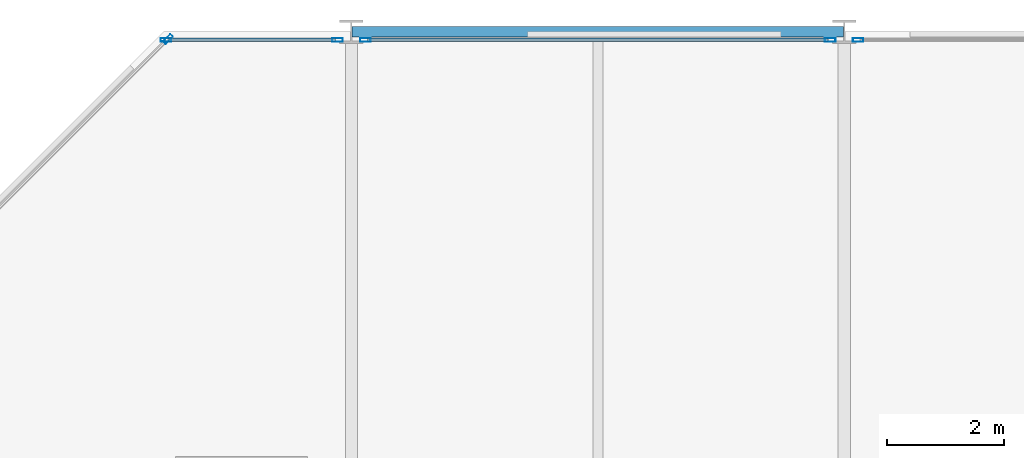
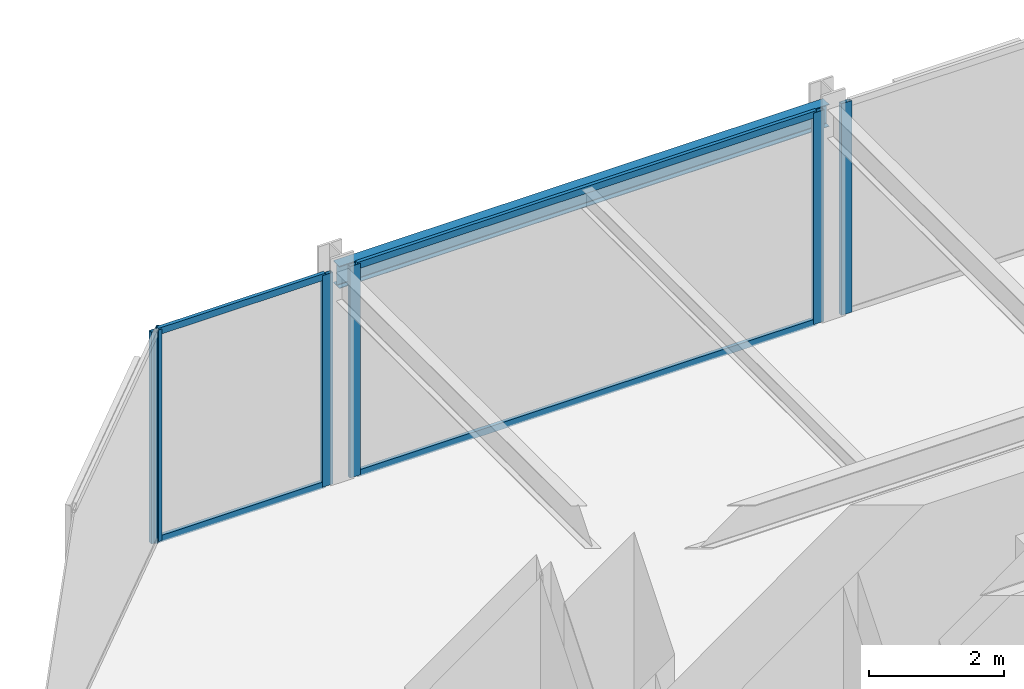
# One storey, part 29 of 38: 10 members, 1 beam, 4 elements without a shape of their own.
"""IFC4 building model written with IfcOpenShell, lengths in metres."""

import ifcopenshell
import ifcopenshell.guid

model = None  # the IFC model being written
_history = None  # IfcOwnerHistory: only IFC2X3 demands one
_inside = {}  # id of a spatial element -> (the spatial element, [elements in it])
_under = {}  # id of a project, library or spatial element -> (it, [spatial elements below it])
_declared = {}  # id of a project -> (the project, [libraries it declares])
_typed = {}  # id of a type object -> (the type object, [elements of that type])
_made_of = {}  # id of a material, layer set ... -> (it, [elements and type objects made of it])


def new_model(schema):
    """Start an empty IFC model of exactly this schema.

    Asked for "IFC4X3", IfcOpenShell would pick the latest addendum, in which some entities
    have other attributes; the version numbers below select the first issue.
    IFC2X3 requires an IfcOwnerHistory on every rooted entity: one is made here for all.
    """
    global model, _history
    if schema == "IFC4X3":
        model = ifcopenshell.file(schema_version=(4, 3, 0, 0))
    else:
        model = ifcopenshell.file(schema=schema)
    _inside.clear()
    _under.clear()
    _declared.clear()
    _typed.clear()
    _made_of.clear()
    _history = None
    if model.schema == "IFC2X3":
        org = make("IfcOrganization", Name="unknown")
        user = make(
            "IfcPersonAndOrganization",
            ThePerson=make("IfcPerson", FamilyName="unknown"),
            TheOrganization=org,
        )
        app = make(
            "IfcApplication",
            ApplicationDeveloper=org,
            Version="unknown",
            ApplicationFullName="unknown",
            ApplicationIdentifier="unknown",
        )
        _history = make(
            "IfcOwnerHistory",
            OwningUser=user,
            OwningApplication=app,
            ChangeAction="ADDED",
            CreationDate=0,
        )
    return model


def make(cls, **values):
    """One entity of the class cls with the attributes given. An attribute that is None is left unset."""
    return model.create_entity(
        cls, **{name: value for name, value in values.items() if value is not None}
    )


def rooted(cls, **values):
    """An entity with a GlobalId (a new one), such as an element, a storey or a relation."""
    return make(cls, GlobalId=ifcopenshell.guid.new(), OwnerHistory=_history, **values)


def si_unit(unit_type, name, prefix=None):
    """IfcSIUnit, for example si_unit("LENGTHUNIT", "METRE", prefix="MILLI")."""
    return make("IfcSIUnit", UnitType=unit_type, Prefix=prefix, Name=name)


def assignment(units):
    """IfcUnitAssignment: the units of a project."""
    return None if units is None else make("IfcUnitAssignment", Units=units)


def point(xyz):
    """IfcCartesianPoint."""
    return None if xyz is None else make("IfcCartesianPoint", Coordinates=xyz)


def direction(xyz):
    """IfcDirection."""
    return None if xyz is None else make("IfcDirection", DirectionRatios=xyz)


def frame(location, z_axis=None, x_axis=None):
    """IfcAxis2Placement3D, a coordinate frame: its origin and axes. An axis left out is left unset."""
    return make(
        "IfcAxis2Placement3D",
        Location=point(location),
        Axis=direction(z_axis),
        RefDirection=direction(x_axis),
    )


def frame_2d(location, x_axis=None):
    """IfcAxis2Placement2D, a coordinate frame in the plane: its origin and x axis."""
    return make(
        "IfcAxis2Placement2D", Location=point(location), RefDirection=direction(x_axis)
    )


def origin():
    """The frame at (0, 0, 0) with its axes left unset."""
    return frame((0.0, 0.0, 0.0))


def origin_2d():
    """The frame at (0, 0) in the plane with its x axis left unset."""
    return frame_2d((0.0, 0.0))


def place(relative_to, where):
    """IfcLocalPlacement: puts the frame where relative to a parent placement (None: the world)."""
    return make(
        "IfcLocalPlacement", PlacementRelTo=relative_to, RelativePlacement=where
    )


def context(
    kind, dimensions, precision=None, world=None, true_north=None, identifier=None
):
    """IfcGeometricRepresentationContext, for example the 3D "Model" context."""
    return make(
        "IfcGeometricRepresentationContext",
        ContextIdentifier=identifier,
        ContextType=kind,
        CoordinateSpaceDimension=dimensions,
        Precision=precision,
        WorldCoordinateSystem=world,
        TrueNorth=true_north,
    )


def subcontext(parent, identifier, kind, view, scale=None):
    """IfcGeometricRepresentationSubContext, for example "Body" below "Model"."""
    return make(
        "IfcGeometricRepresentationSubContext",
        ContextIdentifier=identifier,
        ContextType=kind,
        ParentContext=parent,
        TargetScale=scale,
        TargetView=view,
    )


def project(units=None, contexts=None):
    """IfcProject with its units and contexts."""
    return rooted(
        "IfcProject",
        Name="project",
        RepresentationContexts=contexts,
        UnitsInContext=assignment(units),
    )


def spatial(cls, under=None, at=None, **own):
    """A site, building, storey or space (cls), placed at a placement, below another one or the project."""
    s = rooted(cls, ObjectPlacement=at, **own)
    if under is not None:
        _under.setdefault(under.id(), (under, []))[1].append(s)
    return s


def profile(cls, at=None, kind="AREA", **sizes):
    """A parametric profile (cls). Its sizes go by their IFC names, for example OverallWidth=200.0."""
    return make(cls, ProfileType=kind, Position=at, **sizes)


def hollow_rectangle(**sizes):
    """IfcRectangleHollowProfileDef."""
    return profile("IfcRectangleHollowProfileDef", **sizes)


def i_section(**sizes):
    """IfcIShapeProfileDef."""
    return profile("IfcIShapeProfileDef", **sizes)


def extrude(swept, where, along, depth):
    """IfcExtrudedAreaSolid: the profile swept, set in the frame where, extruded along a direction by depth."""
    return make(
        "IfcExtrudedAreaSolid",
        SweptArea=swept,
        Position=where,
        ExtrudedDirection=direction(along),
        Depth=depth,
    )


def shape(context_of_items, identifier, shape_type, items):
    """IfcShapeRepresentation: the items that make up one representation, for example the "Body"."""
    return make(
        "IfcShapeRepresentation",
        ContextOfItems=context_of_items,
        RepresentationIdentifier=identifier,
        RepresentationType=shape_type,
        Items=items,
    )


def material(Name=None, Category=None):
    """IfcMaterial."""
    return make("IfcMaterial", Name=Name, Category=Category)


def layer(
    of_material, thickness, ventilated=None, Name=None, Category=None, Priority=None
):
    """IfcMaterialLayer: one layer of a wall or slab, of a material (None: an air gap)."""
    return make(
        "IfcMaterialLayer",
        Material=of_material,
        LayerThickness=thickness,
        IsVentilated=ventilated,
        Name=Name,
        Category=Category,
        Priority=Priority,
    )


def layer_set(layers, Name=None):
    """IfcMaterialLayerSet."""
    return make("IfcMaterialLayerSet", MaterialLayers=layers, LayerSetName=Name)


def material_profile(
    of_material, cross_section, Name=None, Category=None, Priority=None
):
    """IfcMaterialProfile: a cross section and its material."""
    return make(
        "IfcMaterialProfile",
        Name=Name,
        Material=of_material,
        Profile=cross_section,
        Priority=Priority,
        Category=Category,
    )


def profile_set(profiles, Name=None, composite=None):
    """IfcMaterialProfileSet."""
    return make(
        "IfcMaterialProfileSet",
        Name=Name,
        MaterialProfiles=profiles,
        CompositeProfile=composite,
    )


def made_of(thing, what):
    """Note that an element or type object is made of a material, layer set ...; save() writes the relation."""
    if what is not None:
        _made_of.setdefault(what.id(), (what, []))[1].append(thing)
    return thing


def type_object(cls, material=None, **own):
    """A type object (cls), such as IfcWallType, which elements share."""
    return made_of(rooted(cls, **own), material)


def element(
    cls,
    number,
    at=None,
    inside=None,
    cuts=None,
    type_object=None,
    material=None,
    context=None,
    identifier="Body",
    shape_type=None,
    held_by="IfcProductDefinitionShape",
    body=None,
    shapes=None,
    **own,
):
    """One element of the class cls, such as IfcWall. Its Tag is "e" and its number.

    at: its placement. inside: the storey or other place that contains it. cuts: it is an
    opening in that element (IfcRelVoidsElement). A single representation is given by context,
    identifier, shape_type and body (its items); several are given by shapes. held_by: the class
    of the entity that holds the representations. save() writes the other relations.
    """
    e = rooted(cls, Tag="e%d" % number, ObjectPlacement=at, **own)
    if body is not None:
        shapes = [shape(context, identifier, shape_type, body)]
    if shapes is not None:
        e.Representation = make(held_by, Representations=shapes)
    if inside is not None:
        _inside.setdefault(inside.id(), (inside, []))[1].append(e)
    if cuts is not None:
        rooted(
            "IfcRelVoidsElement", RelatingBuildingElement=cuts, RelatedOpeningElement=e
        )
    if type_object is not None:
        _typed.setdefault(type_object.id(), (type_object, []))[1].append(e)
    return made_of(e, material)


def aggregate(whole, parts):
    """IfcRelAggregates: a whole, such as a stair, and the parts it consists of."""
    return rooted("IfcRelAggregates", RelatingObject=whole, RelatedObjects=parts)


def save(model, path):
    """Write the relations noted so far, then the file.

    IfcRelAggregates (storeys below a building ...), IfcRelContainedInSpatialStructure (elements
    in a storey), IfcRelDefinesByType, IfcRelAssociatesMaterial and IfcRelDeclares: one each for
    every whole, place, type object, material and project.
    """
    for whole, parts in _under.values():
        aggregate(whole, parts)
    for where, things in _inside.values():
        rooted(
            "IfcRelContainedInSpatialStructure",
            RelatedElements=things,
            RelatingStructure=where,
        )
    for kind, things in _typed.values():
        rooted("IfcRelDefinesByType", RelatedObjects=things, RelatingType=kind)
    for what, things in _made_of.values():
        rooted("IfcRelAssociatesMaterial", RelatedObjects=things, RelatingMaterial=what)
    for by, libraries in _declared.values():
        rooted("IfcRelDeclares", RelatingContext=by, RelatedDefinitions=libraries)
    model.write(path)


model = new_model("IFC4")

# Units and contexts
model_context = context("Model", 3, precision=1e-05, world=origin(), true_north=direction((0.0, 1.0)))
body_context = subcontext(model_context, "Body", "Model", "MODEL_VIEW")
ifc_project = project(units=[si_unit("LENGTHUNIT", "METRE"), si_unit("AREAUNIT", "SQUARE_METRE"), si_unit("VOLUMEUNIT", "CUBIC_METRE"), si_unit("PLANEANGLEUNIT", "RADIAN"), si_unit("MASSUNIT", "GRAM", prefix="KILO")], contexts=[model_context])

# Site, building, storey
site_placement = place(None, origin())
site = spatial("IfcSite", under=ifc_project, at=site_placement, CompositionType="ELEMENT")
building_placement = place(site_placement, origin())
building = spatial("IfcBuilding", under=site, at=building_placement, Name="Nerrivon Quay Data Exchange", CompositionType="ELEMENT")
storey_placement = place(building_placement, frame((0.0, 0.0, 96.699951171875)))
storey = spatial("IfcBuildingStorey", under=building, at=storey_placement, Name="L22", CompositionType="ELEMENT", Elevation=96.699951171875)

# Beam
ifc_material_1 = material(Name="Steel Grade 350", Category="steel")
ifc_material_profile_1 = material_profile(ifc_material_1, i_section(OverallWidth=0.177978515625, OverallDepth=0.403076171875, WebThickness=0.007568359375, FlangeThickness=0.010986328125, FilletRadius=0.011474609375, at=origin_2d()), Name="410UB53.7")
ifc_profile_set_1 = profile_set([ifc_material_profile_1], Name="Steel Grade 350")
beam_type = type_object("IfcBeamType", Name="BM-SP2-410UB54", PredefinedType="SPANDREL", material=ifc_profile_set_1)
beam_placement = place(storey_placement, frame((8.41259765625, 50.39990234375, 3.62353515625), z_axis=(1.0, 0.0, 0.0), x_axis=(0.0, 1.0, 0.0)))
element("IfcBeam", 1, at=beam_placement, inside=storey, type_object=beam_type, Name="L22 EW Girder Y=50.4 (8.4..16.8)", PredefinedType="SPANDREL", context=body_context, shape_type="SweptSolid", body=[
    extrude(i_section(OverallWidth=0.177978515625, OverallDepth=0.403076171875, WebThickness=0.007568359375, FlangeThickness=0.010986328125, FilletRadius=0.011474609375, at=origin_2d()), origin(), (0.0, 0.0, 1.0), 8.375),
])

# Curtain wall, member
ifc_material_2 = material(Name="Anodised aluminium 6063-T6", Category="aluminium")
ifc_layer = layer(ifc_material_2, 0.2099609375)
ifc_layer_set = layer_set([ifc_layer], Name="Anodised aluminium 6063-T6")
curtain_wall_type = type_object("IfcCurtainWallType", Name="CW-SYS-02", PredefinedType="NOTDEFINED", material=ifc_layer_set)
curtain_wall_1_placement = place(storey_placement, origin())
curtain_wall_1 = element("IfcCurtainWall", 2, at=curtain_wall_1_placement, inside=storey, type_object=curtain_wall_type, Name="L22 Unitised Curtain Wall 23", PredefinedType="NOTDEFINED")
ifc_material_profile_2 = material_profile(ifc_material_2, hollow_rectangle(XDim=0.06494140625, YDim=0.179931640625, WallThickness=0.00341796875, at=origin_2d()), Name="ALU-MULL-180x65")
ifc_profile_set_2 = profile_set([ifc_material_profile_2], Name="Anodised aluminium 6063-T6")
member_type_1 = type_object("IfcMemberType", Name="CWM-180x65", PredefinedType="MULLION", material=ifc_profile_set_2)
member_1_placement = place(storey_placement, frame((5.2724609375, 50.2744140625, 0.0), z_axis=(0.0, 0.0, 1.0), x_axis=(-0.707106781187, 0.707106781187, 0.0)))
member_1 = element("IfcMember", 3, at=member_1_placement, type_object=member_type_1, Name="CW02 mullion 2", PredefinedType="MULLION", context=body_context, shape_type="SweptSolid", body=[
    extrude(hollow_rectangle(XDim=0.06494140625, YDim=0.179931640625, WallThickness=0.00341796875, at=origin_2d()), origin(), (0.0, 0.0, 1.0), 3.824951171875),
])
aggregate(curtain_wall_1, [member_1])

# Curtain wall, members
curtain_wall_2_placement = place(storey_placement, origin())
curtain_wall_2 = element("IfcCurtainWall", 4, at=curtain_wall_2_placement, inside=storey, type_object=curtain_wall_type, Name="L22 Unitised Curtain Wall 24", PredefinedType="NOTDEFINED")
member_2_placement = place(storey_placement, frame((5.237548828125, 50.260009765625, 0.0), z_axis=(0.0, 0.0, 1.0), x_axis=(0.0, 1.0, 0.0)))
member_2 = element("IfcMember", 5, at=member_2_placement, type_object=member_type_1, Name="CW02 mullion 1", PredefinedType="MULLION", context=body_context, shape_type="SweptSolid", body=[
    extrude(hollow_rectangle(XDim=0.06494140625, YDim=0.179931640625, WallThickness=0.00341796875, at=origin_2d()), origin(), (0.0, 0.0, 1.0), 3.824951171875),
])
member_3_placement = place(storey_placement, frame((8.16259765625, 50.260009765625, 0.0), z_axis=(0.0, 0.0, 1.0), x_axis=(0.0, 1.0, 0.0)))
member_3 = element("IfcMember", 6, at=member_3_placement, type_object=member_type_1, Name="CW02 mullion 2", PredefinedType="MULLION", context=body_context, shape_type="SweptSolid", body=[
    extrude(hollow_rectangle(XDim=0.06494140625, YDim=0.179931640625, WallThickness=0.00341796875, at=origin_2d()), origin(), (0.0, 0.0, 1.0), 3.824951171875),
])

curtain_wall_3_placement = place(storey_placement, origin())
curtain_wall_3 = element("IfcCurtainWall", 7, at=curtain_wall_3_placement, inside=storey, type_object=curtain_wall_type, Name="L22 Unitised Curtain Wall 25", PredefinedType="NOTDEFINED")
member_4_placement = place(storey_placement, frame((8.637451171875, 50.260009765625, 0.0), z_axis=(0.0, 0.0, 1.0), x_axis=(0.0, 1.0, 0.0)))
member_4 = element("IfcMember", 8, at=member_4_placement, type_object=member_type_1, Name="CW02 mullion 1", PredefinedType="MULLION", context=body_context, shape_type="SweptSolid", body=[
    extrude(hollow_rectangle(XDim=0.06494140625, YDim=0.179931640625, WallThickness=0.00341796875, at=origin_2d()), origin(), (0.0, 0.0, 1.0), 3.824951171875),
])
member_5_placement = place(storey_placement, frame((16.5625, 50.260009765625, 0.0), z_axis=(0.0, 0.0, 1.0), x_axis=(0.0, 1.0, 0.0)))
member_5 = element("IfcMember", 9, at=member_5_placement, type_object=member_type_1, Name="CW02 mullion 2", PredefinedType="MULLION", context=body_context, shape_type="SweptSolid", body=[
    extrude(hollow_rectangle(XDim=0.06494140625, YDim=0.179931640625, WallThickness=0.00341796875, at=origin_2d()), origin(), (0.0, 0.0, 1.0), 3.824951171875),
])

# Curtain wall, member
curtain_wall_4_placement = place(storey_placement, origin())
curtain_wall_4 = element("IfcCurtainWall", 10, at=curtain_wall_4_placement, inside=storey, type_object=curtain_wall_type, Name="L22 Unitised Curtain Wall 26", PredefinedType="NOTDEFINED")
member_6_placement = place(storey_placement, frame((17.03759765625, 50.260009765625, 0.0), z_axis=(0.0, 0.0, 1.0), x_axis=(0.0, 1.0, 0.0)))
member_6 = element("IfcMember", 11, at=member_6_placement, type_object=member_type_1, Name="CW02 mullion 1", PredefinedType="MULLION", context=body_context, shape_type="SweptSolid", body=[
    extrude(hollow_rectangle(XDim=0.06494140625, YDim=0.179931640625, WallThickness=0.00341796875, at=origin_2d()), origin(), (0.0, 0.0, 1.0), 3.824951171875),
])
aggregate(curtain_wall_4, [member_6])

# Member
ifc_material_profile_3 = material_profile(ifc_material_2, hollow_rectangle(XDim=0.06005859375, YDim=0.1201171875, WallThickness=0.003173828125, at=origin_2d()), Name="ALU-TRAN-120x60")
ifc_profile_set_3 = profile_set([ifc_material_profile_3], Name="Anodised aluminium 6063-T6")
member_type_2 = type_object("IfcMemberType", Name="CWT-120x60", PredefinedType="USERDEFINED", material=ifc_profile_set_3)
member_7_placement = place(storey_placement, frame((5.27490234375, 50.260009765625, 0.032470703125), z_axis=(1.0, 0.0, 0.0), x_axis=(0.0, 1.0, 0.0)))
member_7 = element("IfcMember", 12, at=member_7_placement, type_object=member_type_2, Name="CW02 transom 1.1", ObjectType="TRANSOM", PredefinedType="USERDEFINED", context=body_context, shape_type="SweptSolid", body=[
    extrude(hollow_rectangle(XDim=0.06005859375, YDim=0.1201171875, WallThickness=0.003173828125, at=origin_2d()), origin(), (0.0, 0.0, 1.0), 2.85009765625),
])

member_8_placement = place(storey_placement, frame((5.27490234375, 50.260009765625, 3.79248046875), z_axis=(1.0, 0.0, 0.0), x_axis=(0.0, 1.0, 0.0)))
member_8 = element("IfcMember", 13, at=member_8_placement, type_object=member_type_2, Name="CW02 transom 1.2", ObjectType="TRANSOM", PredefinedType="USERDEFINED", context=body_context, shape_type="SweptSolid", body=[
    extrude(hollow_rectangle(XDim=0.06005859375, YDim=0.1201171875, WallThickness=0.003173828125, at=origin_2d()), origin(), (0.0, 0.0, 1.0), 2.85009765625),
])

aggregate(curtain_wall_2, [member_2, member_3, member_7, member_8])

member_9_placement = place(storey_placement, frame((8.675048828125, 50.260009765625, 0.032470703125), z_axis=(1.0, 0.0, 0.0), x_axis=(0.0, 1.0, 0.0)))
member_9 = element("IfcMember", 14, at=member_9_placement, type_object=member_type_2, Name="CW02 transom 1.1", ObjectType="TRANSOM", PredefinedType="USERDEFINED", context=body_context, shape_type="SweptSolid", body=[
    extrude(hollow_rectangle(XDim=0.06005859375, YDim=0.1201171875, WallThickness=0.003173828125, at=origin_2d()), origin(), (0.0, 0.0, 1.0), 7.849853515625),
])

member_10_placement = place(storey_placement, frame((8.675048828125, 50.260009765625, 3.79248046875), z_axis=(1.0, 0.0, 0.0), x_axis=(0.0, 1.0, 0.0)))
member_10 = element("IfcMember", 15, at=member_10_placement, type_object=member_type_2, Name="CW02 transom 1.2", ObjectType="TRANSOM", PredefinedType="USERDEFINED", context=body_context, shape_type="SweptSolid", body=[
    extrude(hollow_rectangle(XDim=0.06005859375, YDim=0.1201171875, WallThickness=0.003173828125, at=origin_2d()), origin(), (0.0, 0.0, 1.0), 7.849853515625),
])

aggregate(curtain_wall_3, [member_4, member_5, member_9, member_10])

save(model, "model.ifc")
